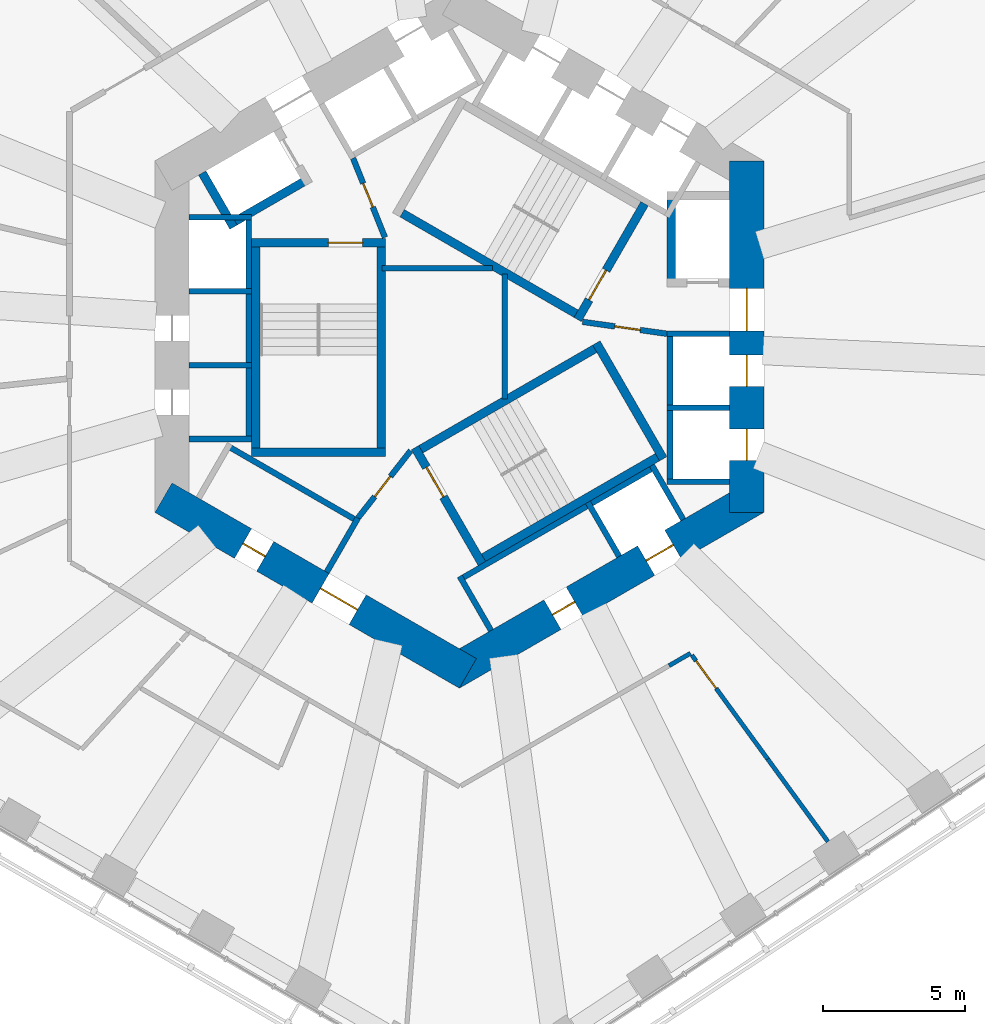
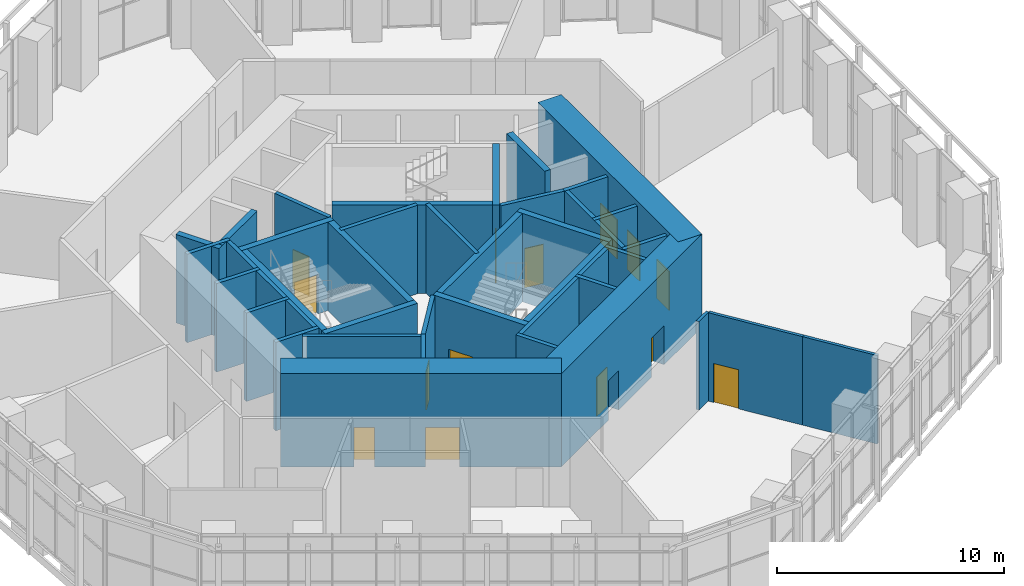
# One storey, part 14 of 19: 39 walls, 14 doors, 14 openings.
"""IFC4 building model written with IfcOpenShell, lengths in metres."""

from ifc_helpers import new_model, si_unit, direction, frame, frame_2d, origin, place, context, subcontext, project, spatial, rectangle, extrude, material, layer, layer_set, type_object, element, fill, save


model = new_model("IFC4")

# Units and contexts
model_context = context("Model", 3, precision=1e-05, world=origin(), true_north=direction((0.0, 1.0)))
body_context = subcontext(model_context, "Body", "Model", "MODEL_VIEW")
ifc_project = project(units=[si_unit("LENGTHUNIT", "METRE"), si_unit("AREAUNIT", "SQUARE_METRE"), si_unit("VOLUMEUNIT", "CUBIC_METRE"), si_unit("PLANEANGLEUNIT", "RADIAN"), si_unit("MASSUNIT", "GRAM", prefix="KILO")], contexts=[model_context])

# Site, building, storey
site_placement = place(None, origin())
site = spatial("IfcSite", under=ifc_project, at=site_placement, CompositionType="ELEMENT")
building_placement = place(site_placement, origin())
building = spatial("IfcBuilding", under=site, at=building_placement, Name="Vanh Sen Convention Tower", CompositionType="ELEMENT")
storey_placement = place(building_placement, frame((0.0, 0.0, 39.0)))
storey = spatial("IfcBuildingStorey", under=building, at=storey_placement, Name="L06", CompositionType="ELEMENT", Elevation=39.0)

# Wall, openings, doors
ifc_material_1 = material(Name="Concrete C80/95", Category="concrete")
ifc_layer_1 = layer(ifc_material_1, 1.199951171875)
ifc_layer_set_1 = layer_set([ifc_layer_1], Name="Concrete C80/95")
wall_type_1 = type_object("IfcWallType", Name="Core outer wall 1200 C80/95", PredefinedType="SHEAR", material=ifc_layer_set_1)
wall_1_placement = place(storey_placement, frame((10.10009765625, -6.177490234375, 0.0), z_axis=(0.0, 0.0, 1.0), x_axis=(0.0, 1.0, 0.0)))
wall_1 = element("IfcWall", 1, at=wall_1_placement, inside=storey, type_object=wall_type_1, Name="Core wall face E L06", PredefinedType="SHEAR", context=body_context, shape_type="SweptSolid", body=[
    extrude(rectangle(XDim=12.35498046875, YDim=1.199951171875, at=frame_2d((6.177490234375, 0.0))), origin(), (0.0, 0.0, 1.0), 5.0),
])
opening_1_placement = place(wall_1_placement, frame((6.377685546875, 0.0, 0.0)))
opening_1 = element("IfcOpeningElement", 2, at=opening_1_placement, cuts=wall_1, Name="Opening D06001", PredefinedType="OPENING", context=body_context, shape_type="SweptSolid", body=[
    extrude(rectangle(XDim=1.5, YDim=2.10009765625, at=frame_2d((0.75, 1.050048828125))), frame((0.0, 0.60986328125, 0.0), z_axis=(0.0, -1.0, 0.0), x_axis=(1.0, 0.0, 0.0)), (0.0, 0.0, 1.0), 1.219970703125),
])
opening_2_placement = place(wall_1_placement, frame((1.82763671875, 0.0, 0.0)))
opening_2 = element("IfcOpeningElement", 3, at=opening_2_placement, cuts=wall_1, Name="Opening LD-LR1", PredefinedType="OPENING", context=body_context, shape_type="SweptSolid", body=[
    extrude(rectangle(XDim=1.10009765625, YDim=2.10009765625, at=frame_2d((0.550048828125, 1.050048828125))), frame((0.0, 0.60986328125, 0.0), z_axis=(0.0, -1.0, 0.0), x_axis=(1.0, 0.0, 0.0)), (0.0, 0.0, 1.0), 1.219970703125),
])
opening_3_placement = place(wall_1_placement, frame((4.427490234375, 0.0, 0.0)))
opening_3 = element("IfcOpeningElement", 4, at=opening_3_placement, cuts=wall_1, Name="Opening LD-LR2", PredefinedType="OPENING", context=body_context, shape_type="SweptSolid", body=[
    extrude(rectangle(XDim=1.10009765625, YDim=2.10009765625, at=frame_2d((0.550048828125, 1.050048828125))), frame((0.0, 0.60986328125, 0.0), z_axis=(0.0, -1.0, 0.0), x_axis=(1.0, 0.0, 0.0)), (0.0, 0.0, 1.0), 1.219970703125),
])
ifc_material_2 = material(Name="Stainless steel", Category="steel")
door_type_1 = type_object("IfcDoorType", Name="Lift landing door 1100", OperationType="DOUBLE_DOOR_SLIDING", PredefinedType="DOOR", material=ifc_material_2)
door_1_placement = place(opening_2_placement, origin())
door_1 = element("IfcDoor", 5, at=door_1_placement, inside=storey, type_object=door_type_1, Name="Lift LR1 landing door LD-LR1", OperationType="DOUBLE_DOOR_SLIDING", OverallHeight=2.10009765625, OverallWidth=1.10009765625, PredefinedType="DOOR", context=body_context, shape_type="SweptSolid", body=[
    extrude(rectangle(XDim=1.10009765625, YDim=2.10009765625, at=frame_2d((0.550048828125, 1.050048828125))), frame((0.0, 0.02490234375, 0.0), z_axis=(0.0, -1.0, 0.0), x_axis=(1.0, 0.0, 0.0)), (0.0, 0.0, 1.0), 0.050048828125),
])
fill(opening_2, door_1)
door_2_placement = place(opening_3_placement, origin())
door_2 = element("IfcDoor", 6, at=door_2_placement, inside=storey, type_object=door_type_1, Name="Lift LR2 landing door LD-LR2", OperationType="DOUBLE_DOOR_SLIDING", OverallHeight=2.10009765625, OverallWidth=1.10009765625, PredefinedType="DOOR", context=body_context, shape_type="SweptSolid", body=[
    extrude(rectangle(XDim=1.10009765625, YDim=2.10009765625, at=frame_2d((0.550048828125, 1.050048828125))), frame((0.0, 0.02490234375, 0.0), z_axis=(0.0, -1.0, 0.0), x_axis=(1.0, 0.0, 0.0)), (0.0, 0.0, 1.0), 0.050048828125),
])
fill(opening_3, door_2)
ifc_material_3 = material(Name="Steel S355", Category="steel")
door_type_2 = type_object("IfcDoorType", Name="Stair lobby door 1500", OperationType="DOUBLE_DOOR_SINGLE_SWING", PredefinedType="DOOR", material=ifc_material_3)
door_3_placement = place(opening_1_placement, origin())
door_3 = element("IfcDoor", 7, at=door_3_placement, inside=storey, type_object=door_type_2, Name="Stair lobby door D06001", OperationType="DOUBLE_DOOR_SINGLE_SWING", OverallHeight=2.10009765625, OverallWidth=1.5, PredefinedType="DOOR", context=body_context, shape_type="SweptSolid", body=[
    extrude(rectangle(XDim=1.5, YDim=2.10009765625, at=frame_2d((0.75, 1.050048828125))), frame((0.0, 0.02490234375, 0.0), z_axis=(0.0, -1.0, 0.0), x_axis=(1.0, 0.0, 0.0)), (0.0, 0.0, 1.0), 0.050048828125),
])
fill(opening_1, door_3)

wall_2_placement = place(storey_placement, frame((-10.39990234375, -5.657958984375, 0.0), z_axis=(0.0, 0.0, 1.0), x_axis=(0.866021384402, -0.500006961711, 0.0)))
wall_2 = element("IfcWall", 8, at=wall_2_placement, inside=storey, type_object=wall_type_1, Name="Core wall face SW L06", PredefinedType="SHEAR", context=body_context, shape_type="SweptSolid", body=[
    extrude(rectangle(XDim=12.355224609375, YDim=1.199951171875, at=frame_2d((6.177734375, 0.0))), origin(), (0.0, 0.0, 1.0), 5.0),
])
opening_4_placement = place(wall_2_placement, frame((6.377685546875, 0.0, 0.0)))
opening_4 = element("IfcOpeningElement", 9, at=opening_4_placement, cuts=wall_2, Name="Opening D06003", PredefinedType="OPENING", context=body_context, shape_type="SweptSolid", body=[
    extrude(rectangle(XDim=1.5, YDim=2.10009765625, at=frame_2d((0.75, 1.050048828125))), frame((0.0, 0.60986328125, 0.0), z_axis=(0.0, -1.0, 0.0), x_axis=(1.0, 0.0, 0.0)), (0.0, 0.0, 1.0), 1.219970703125),
])
opening_5_placement = place(wall_2_placement, frame((3.227783203125, 0.0, 0.0)))
opening_5 = element("IfcOpeningElement", 10, at=opening_5_placement, cuts=wall_2, Name="Opening D06012", PredefinedType="OPENING", context=body_context, shape_type="SweptSolid", body=[
    extrude(rectangle(XDim=0.89990234375, YDim=2.10009765625, at=frame_2d((0.449951171875, 1.050048828125))), frame((0.0, 0.60986328125, 0.0), z_axis=(0.0, -1.0, 0.0), x_axis=(1.0, 0.0, 0.0)), (0.0, 0.0, 1.0), 1.219970703125),
])
door_type_3 = type_object("IfcDoorType", Name="Plant door 900", OperationType="SINGLE_SWING_LEFT", PredefinedType="DOOR", material=ifc_material_3)
door_4_placement = place(opening_5_placement, origin())
door_4 = element("IfcDoor", 11, at=door_4_placement, inside=storey, type_object=door_type_3, Name="Plant door D06012", OperationType="SINGLE_SWING_LEFT", OverallHeight=2.10009765625, OverallWidth=0.89990234375, PredefinedType="DOOR", context=body_context, shape_type="SweptSolid", body=[
    extrude(rectangle(XDim=0.89990234375, YDim=2.10009765625, at=frame_2d((0.449951171875, 1.050048828125))), frame((0.0, 0.02490234375, 0.0), z_axis=(0.0, -1.0, 0.0), x_axis=(1.0, 0.0, 0.0)), (0.0, 0.0, 1.0), 0.050048828125),
])
fill(opening_5, door_4)
door_5_placement = place(opening_4_placement, origin())
door_5 = element("IfcDoor", 12, at=door_5_placement, inside=storey, type_object=door_type_2, Name="Stair lobby door D06003", OperationType="DOUBLE_DOOR_SINGLE_SWING", OverallHeight=2.10009765625, OverallWidth=1.5, PredefinedType="DOOR", context=body_context, shape_type="SweptSolid", body=[
    extrude(rectangle(XDim=1.5, YDim=2.10009765625, at=frame_2d((0.75, 1.050048828125))), frame((0.0, 0.02490234375, 0.0), z_axis=(0.0, -1.0, 0.0), x_axis=(1.0, 0.0, 0.0)), (0.0, 0.0, 1.0), 0.050048828125),
])
fill(opening_4, door_5)

wall_3_placement = place(storey_placement, frame((-0.300048828125, -11.835693359375, 0.0), z_axis=(0.0, 0.0, 1.0), x_axis=(0.866021384402, 0.500006961711, 0.0)))
wall_3 = element("IfcWall", 13, at=wall_3_placement, inside=storey, type_object=wall_type_1, Name="Core wall face SE L06", PredefinedType="SHEAR", context=body_context, shape_type="SweptSolid", body=[
    extrude(rectangle(XDim=12.355224609375, YDim=1.199951171875, at=frame_2d((6.177734375, 0.0))), origin(), (0.0, 0.0, 1.0), 5.0),
])
opening_6_placement = place(wall_3_placement, frame((4.127685546875, 0.0, 0.0)))
opening_6 = element("IfcOpeningElement", 14, at=opening_6_placement, cuts=wall_3, Name="Opening D06013", PredefinedType="OPENING", context=body_context, shape_type="SweptSolid", body=[
    extrude(rectangle(XDim=0.89990234375, YDim=2.10009765625, at=frame_2d((0.449951171875, 1.050048828125))), frame((0.0, 0.60986328125, 0.0), z_axis=(0.0, -1.0, 0.0), x_axis=(1.0, 0.0, 0.0)), (0.0, 0.0, 1.0), 1.219970703125),
])
opening_7_placement = place(wall_3_placement, frame((7.927734375, 0.0, 0.0)))
opening_7 = element("IfcOpeningElement", 15, at=opening_7_placement, cuts=wall_3, Name="Opening LD-SV1", PredefinedType="OPENING", context=body_context, shape_type="SweptSolid", body=[
    extrude(rectangle(XDim=1.10009765625, YDim=2.10009765625, at=frame_2d((0.550048828125, 1.050048828125))), frame((0.0, 0.60986328125, 0.0), z_axis=(0.0, -1.0, 0.0), x_axis=(1.0, 0.0, 0.0)), (0.0, 0.0, 1.0), 1.219970703125),
])
door_6_placement = place(opening_7_placement, origin())
door_6 = element("IfcDoor", 16, at=door_6_placement, inside=storey, type_object=door_type_1, Name="Lift SV1 landing door LD-SV1", OperationType="DOUBLE_DOOR_SLIDING", OverallHeight=2.10009765625, OverallWidth=1.10009765625, PredefinedType="DOOR", context=body_context, shape_type="SweptSolid", body=[
    extrude(rectangle(XDim=1.10009765625, YDim=2.10009765625, at=frame_2d((0.550048828125, 1.050048828125))), frame((0.0, 0.02490234375, 0.0), z_axis=(0.0, -1.0, 0.0), x_axis=(1.0, 0.0, 0.0)), (0.0, 0.0, 1.0), 0.050048828125),
])
fill(opening_7, door_6)
door_7_placement = place(opening_6_placement, origin())
door_7 = element("IfcDoor", 17, at=door_7_placement, inside=storey, type_object=door_type_3, Name="Plant door D06013", OperationType="SINGLE_SWING_LEFT", OverallHeight=2.10009765625, OverallWidth=0.89990234375, PredefinedType="DOOR", context=body_context, shape_type="SweptSolid", body=[
    extrude(rectangle(XDim=0.89990234375, YDim=2.10009765625, at=frame_2d((0.449951171875, 1.050048828125))), frame((0.0, 0.02490234375, 0.0), z_axis=(0.0, -1.0, 0.0), x_axis=(1.0, 0.0, 0.0)), (0.0, 0.0, 1.0), 0.050048828125),
])
fill(opening_6, door_7)

# Walls
ifc_material_4 = material(Name="Masonry blockwork", Category="masonry")
ifc_layer_2 = layer(ifc_material_4, 0.199951171875)
ifc_layer_set_2 = layer_set([ifc_layer_2], Name="Masonry blockwork")
wall_type_2 = type_object("IfcWallType", Name="Core partition 200", PredefinedType="PARTITIONING", material=ifc_layer_set_2)
wall_4_placement = place(storey_placement, frame((-2.719970703125, 2.39990234375, 0.0), z_axis=(0.0, 0.0, 1.0), x_axis=(1.0, 0.0, 0.0)))
element("IfcWall", 18, at=wall_4_placement, inside=storey, type_object=wall_type_2, Name="Core partition L06", PredefinedType="PARTITIONING", context=body_context, shape_type="SweptSolid", body=[
    extrude(rectangle(XDim=3.883056640625, YDim=0.199951171875, at=frame_2d((1.94140625, 0.0))), origin(), (0.0, 0.0, 1.0), 4.75),
])
wall_5_placement = place(storey_placement, frame((1.60009765625, -2.198486328125, 0.0), z_axis=(0.0, 0.0, 1.0), x_axis=(0.0, 1.0, 0.0)))
element("IfcWall", 19, at=wall_5_placement, inside=storey, type_object=wall_type_2, Name="Core partition L06", PredefinedType="PARTITIONING", context=body_context, shape_type="SweptSolid", body=[
    extrude(rectangle(XDim=4.39697265625, YDim=0.199951171875, at=frame_2d((2.198486328125, 0.0))), origin(), (0.0, 0.0, 1.0), 4.75),
])
ifc_material_5 = material(Name="Concrete C60/75", Category="concrete")
ifc_layer_3 = layer(ifc_material_5, 0.300048828125)
ifc_layer_set_3 = layer_set([ifc_layer_3], Name="Concrete C60/75")
wall_type_3 = type_object("IfcWallType", Name="Fire-fighting lift shaft wall 300", PredefinedType="SHEAR", material=ifc_layer_set_3)
wall_6_placement = place(storey_placement, frame((7.449951171875, 1.75, 0.0), z_axis=(0.0, 0.0, 1.0), x_axis=(0.0, 1.0, 0.0)))
element("IfcWall", 20, at=wall_6_placement, inside=storey, type_object=wall_type_3, Name="Fire-fighting lift shaft wall L06", PredefinedType="SHEAR", context=body_context, shape_type="SweptSolid", body=[
    extrude(rectangle(XDim=3.35009765625, YDim=0.300048828125, at=frame_2d((1.675048828125, 0.0))), origin(), (0.0, 0.0, 1.0), 4.75),
])
wall_7_placement = place(storey_placement, frame((-5.240478515625, 5.576904296875, 0.0), z_axis=(0.0, 0.0, 1.0), x_axis=(-0.866014461049, -0.500018952895, 0.0)))
element("IfcWall", 21, at=wall_7_placement, inside=storey, type_object=wall_type_3, Name="Fire-fighting lift shaft wall L06", PredefinedType="SHEAR", context=body_context, shape_type="SweptSolid", body=[
    extrude(rectangle(XDim=3.349853515625, YDim=0.300048828125, at=frame_2d((1.6748046875, 0.0))), origin(), (0.0, 0.0, 1.0), 4.75),
])
wall_8_placement = place(storey_placement, frame((-7.936767578125, 3.846923828125, 0.0), z_axis=(0.0, 0.0, 1.0), x_axis=(-0.50002983664, 0.866008176907, 0.0)))
element("IfcWall", 22, at=wall_8_placement, inside=storey, type_object=wall_type_3, Name="Fire-fighting lift shaft wall L06", PredefinedType="SHEAR", context=body_context, shape_type="SweptSolid", body=[
    extrude(rectangle(XDim=2.199951171875, YDim=0.300048828125, at=frame_2d((1.10009765625, 0.0))), origin(), (0.0, 0.0, 1.0), 4.75),
])
ifc_material_6 = material(Name="Concrete C40/50", Category="concrete")
ifc_layer_4 = layer(ifc_material_6, 0.199951171875)
ifc_layer_set_4 = layer_set([ifc_layer_4], Name="Concrete C40/50")
wall_type_4 = type_object("IfcWallType", Name="Lift shaft wall 200", PredefinedType="PARTITIONING", material=ifc_layer_set_4)
wall_9_placement = place(storey_placement, frame((7.39990234375, -5.199951171875, 0.0), z_axis=(0.0, 0.0, 1.0), x_axis=(0.0, 1.0, 0.0)))
element("IfcWall", 23, at=wall_9_placement, inside=storey, type_object=wall_type_4, Name="Lift shaft wall L06", PredefinedType="PARTITIONING", context=body_context, shape_type="SweptSolid", body=[
    extrude(rectangle(XDim=5.39990234375, YDim=0.199951171875, at=frame_2d((2.699951171875, 0.0))), origin(), (0.0, 0.0, 1.0), 4.75),
])
for number, where, z_axis, x_axis, name in (
    (24, (7.300048828125, -5.10009765625, 0.0), (0.0, 0.0, 1.0), (1.0, 0.0, 0.0), "Lift shaft wall L06"),
    (25, (7.300048828125, -2.5, 0.0), (0.0, 0.0, 1.0), (1.0, 0.0, 0.0), "Lift shaft wall L06"),
    (26, (7.300048828125, 0.10009765625, 0.0), (0.0, 0.0, 1.0), (1.0, 0.0, 0.0), "Lift shaft wall L06"),
):
    element("IfcWall", number, at=place(storey_placement, frame(where, z_axis=z_axis, x_axis=x_axis)), inside=storey, type_object=wall_type_4, Name=name, PredefinedType="PARTITIONING", context=body_context, shape_type="SweptSolid", body=[
        extrude(rectangle(XDim=2.199951171875, YDim=0.199951171875, at=frame_2d((1.10009765625, 0.0))), origin(), (0.0, 0.0, 1.0), 4.75),
    ])
wall_10_placement = place(storey_placement, frame((-7.39990234375, 4.300048828125, 0.0), z_axis=(0.0, 0.0, 1.0), x_axis=(0.0, -1.0, 0.0)))
element("IfcWall", 27, at=wall_10_placement, inside=storey, type_object=wall_type_4, Name="Lift shaft wall L06", PredefinedType="PARTITIONING", context=body_context, shape_type="SweptSolid", body=[
    extrude(rectangle(XDim=8.0, YDim=0.199951171875, at=frame_2d((4.0, 0.0))), origin(), (0.0, 0.0, 1.0), 4.75),
])
for number, where, z_axis, x_axis, name in (
    (28, (-7.300048828125, 4.199951171875, 0.0), (0.0, 0.0, 1.0), (-1.0, 0.0, 0.0), "Lift shaft wall L06"),
    (29, (-7.300048828125, 1.60009765625, 0.0), (0.0, 0.0, 1.0), (-1.0, 0.0, 0.0), "Lift shaft wall L06"),
    (30, (-7.300048828125, -1.0, 0.0), (0.0, 0.0, 1.0), (-1.0, 0.0, 0.0), "Lift shaft wall L06"),
    (31, (-7.300048828125, -3.60009765625, 0.0), (0.0, 0.0, 1.0), (-1.0, 0.0, 0.0), "Lift shaft wall L06"),
):
    element("IfcWall", number, at=place(storey_placement, frame(where, z_axis=z_axis, x_axis=x_axis)), inside=storey, type_object=wall_type_4, Name=name, PredefinedType="PARTITIONING", context=body_context, shape_type="SweptSolid", body=[
        extrude(rectangle(XDim=2.199951171875, YDim=0.199951171875, at=frame_2d((1.10009765625, 0.0))), origin(), (0.0, 0.0, 1.0), 4.75),
    ])
wall_11_placement = place(storey_placement, frame((-8.203369140625, -3.80859375, 0.0), z_axis=(0.0, 0.0, 1.0), x_axis=(0.866028230842, -0.499995103361, 0.0)))
element("IfcWall", 32, at=wall_11_placement, inside=storey, type_object=wall_type_4, Name="Lift shaft wall L06", PredefinedType="PARTITIONING", context=body_context, shape_type="SweptSolid", body=[
    extrude(rectangle(XDim=5.39990234375, YDim=0.199951171875, at=frame_2d((2.699951171875, 0.0))), origin(), (0.0, 0.0, 1.0), 4.75),
])
wall_12_placement = place(storey_placement, frame((-3.5634765625, -6.3720703125, 0.0), z_axis=(0.0, 0.0, 1.0), x_axis=(-0.499994660107, -0.866028486751, 0.0)))
element("IfcWall", 33, at=wall_12_placement, inside=storey, type_object=wall_type_4, Name="Lift shaft wall L06", PredefinedType="PARTITIONING", context=body_context, shape_type="SweptSolid", body=[
    extrude(rectangle(XDim=2.19970703125, YDim=0.199951171875, at=frame_2d((1.099853515625, 0.0))), origin(), (0.0, 0.0, 1.0), 4.75),
])
wall_13_placement = place(storey_placement, frame((-0.02392578125, -8.55859375, 0.0), z_axis=(0.0, 0.0, 1.0), x_axis=(0.866026010844, 0.49999894854, 0.0)))
element("IfcWall", 34, at=wall_13_placement, inside=storey, type_object=wall_type_4, Name="Lift shaft wall L06", PredefinedType="PARTITIONING", context=body_context, shape_type="SweptSolid", body=[
    extrude(rectangle(XDim=8.0, YDim=0.199951171875, at=frame_2d((4.0, 0.0))), origin(), (0.0, 0.0, 1.0), 4.75),
])
for number, where, z_axis, x_axis, name in (
    (35, (0.0126953125, -8.422119140625, 0.0), (0.0, 0.0, 1.0), (0.500077893725, -0.86598042715, 0.0), "Lift shaft wall L06"),
    (36, (4.51611328125, -5.822021484375, 0.0), (0.0, 0.0, 1.0), (0.499946605688, -0.86605622881, 0.0), "Lift shaft wall L06"),
    (37, (6.767578125, -4.52197265625, 0.0), (0.0, 0.0, 1.0), (0.50002983664, -0.866008176907, 0.0), "Lift shaft wall L06"),
):
    element("IfcWall", number, at=place(storey_placement, frame(where, z_axis=z_axis, x_axis=x_axis)), inside=storey, type_object=wall_type_4, Name=name, PredefinedType="PARTITIONING", context=body_context, shape_type="SweptSolid", body=[
        extrude(rectangle(XDim=2.199951171875, YDim=0.199951171875, at=frame_2d((1.10009765625, 0.0))), origin(), (0.0, 0.0, 1.0), 4.75),
    ])
ifc_material_7 = material(Name="Gypsum board on steel studs", Category="steel")
ifc_layer_5 = layer(ifc_material_7, 0.14990234375)
ifc_layer_set_5 = layer_set([ifc_layer_5], Name="Gypsum board on steel studs")
wall_type_5 = type_object("IfcWallType", Name="Partition 150 EI 60", PredefinedType="PARTITIONING", material=ifc_layer_set_5)
wall_14_placement = place(storey_placement, frame((10.83544921875, -14.844482421875, 0.0), z_axis=(0.0, 0.0, 1.0), x_axis=(0.589604414089, -0.807692165919, 0.0)))
element("IfcWall", 38, at=wall_14_placement, inside=storey, type_object=wall_type_5, Name="Partition L06-007", PredefinedType="PARTITIONING", context=body_context, shape_type="SweptSolid", body=[
    extrude(rectangle(XDim=3.594482421875, YDim=0.14990234375, at=frame_2d((1.79736328125, 0.0))), origin(), (0.0, 0.0, 1.0), 4.75),
])
wall_15_placement = place(storey_placement, frame((7.369384765625, -11.564453125, 0.0), z_axis=(0.0, 0.0, 1.0), x_axis=(0.865956808668, 0.50011879141, 0.0)))
element("IfcWall", 39, at=wall_15_placement, inside=storey, type_object=wall_type_5, Name="Partition L06-014", PredefinedType="PARTITIONING", context=body_context, shape_type="SweptSolid", body=[
    extrude(rectangle(XDim=0.870849609375, YDim=0.14990234375, at=frame_2d((0.435546875, 0.0))), origin(), (0.0, 0.0, 1.0), 4.75),
])

# Wall, opening, door
wall_16_placement = place(storey_placement, frame((8.170654296875, -11.193603515625, 0.0), z_axis=(0.0, 0.0, 1.0), x_axis=(0.589561466491, -0.807723515337, 0.0)))
wall_16 = element("IfcWall", 40, at=wall_16_placement, inside=storey, type_object=wall_type_5, Name="Partition L06-015", PredefinedType="PARTITIONING", context=body_context, shape_type="SweptSolid", body=[
    extrude(rectangle(XDim=4.52001953125, YDim=0.14990234375, at=frame_2d((2.260009765625, 0.0))), origin(), (0.0, 0.0, 1.0), 4.75),
])
opening_8_placement = place(wall_16_placement, frame((0.25, 0.0, 0.0)))
opening_8 = element("IfcOpeningElement", 41, at=opening_8_placement, cuts=wall_16, Name="Opening D06103", PredefinedType="OPENING", context=body_context, shape_type="SweptSolid", body=[
    extrude(rectangle(XDim=1.199951171875, YDim=2.10009765625, at=frame_2d((0.60009765625, 1.050048828125))), frame((0.0, 0.0849609375, 0.0), z_axis=(0.0, -1.0, 0.0), x_axis=(1.0, 0.0, 0.0)), (0.0, 0.0, 1.0), 0.169921875),
])
ifc_material_8 = material(Name="Timber door in steel frame", Category="steel")
door_type_4 = type_object("IfcDoorType", Name="Room door 1200 EI 30", OperationType="SINGLE_SWING_LEFT", PredefinedType="DOOR", material=ifc_material_8)
door_8_placement = place(opening_8_placement, origin())
door_8 = element("IfcDoor", 42, at=door_8_placement, inside=storey, type_object=door_type_4, Name="Room door D06103", OperationType="SINGLE_SWING_LEFT", OverallHeight=2.10009765625, OverallWidth=1.199951171875, PredefinedType="DOOR", context=body_context, shape_type="SweptSolid", body=[
    extrude(rectangle(XDim=1.199951171875, YDim=2.10009765625, at=frame_2d((0.60009765625, 1.050048828125))), frame((0.0, 0.02490234375, 0.0), z_axis=(0.0, -1.0, 0.0), x_axis=(1.0, 0.0, 0.0)), (0.0, 0.0, 1.0), 0.050048828125),
])
fill(opening_8, door_8)

ifc_layer_6 = layer(ifc_material_6, 0.199951171875)
ifc_layer_set_6 = layer_set([ifc_layer_6], Name="Concrete C40/50")
wall_type_6 = type_object("IfcWallType", Name="Stair lobby wall 200", PredefinedType="PARTITIONING", material=ifc_layer_set_6)
wall_17_placement = place(storey_placement, frame((4.327392578125, 0.52099609375, 0.0), z_axis=(0.0, 0.0, 1.0), x_axis=(0.990124376366, -0.14019172346, 0.0)))
wall_17 = element("IfcWall", 43, at=wall_17_placement, inside=storey, type_object=wall_type_6, Name="Stair lobby wall L06", PredefinedType="PARTITIONING", context=body_context, shape_type="SweptSolid", body=[
    extrude(rectangle(XDim=3.002197265625, YDim=0.199951171875, at=frame_2d((1.5009765625, 0.0))), origin(), (0.0, 0.0, 1.0), 4.75),
])
opening_9_placement = place(wall_17_placement, frame((1.14990234375, 0.0, 0.0)))
opening_9 = element("IfcOpeningElement", 44, at=opening_9_placement, cuts=wall_17, Name="Opening D06007", PredefinedType="OPENING", context=body_context, shape_type="SweptSolid", body=[
    extrude(rectangle(XDim=0.89990234375, YDim=2.10009765625, at=frame_2d((0.449951171875, 1.050048828125))), frame((0.0, 0.10986328125, 0.0), z_axis=(0.0, -1.0, 0.0), x_axis=(1.0, 0.0, 0.0)), (0.0, 0.0, 1.0), 0.219970703125),
])
door_9_placement = place(opening_9_placement, origin())
door_9 = element("IfcDoor", 45, at=door_9_placement, inside=storey, type_object=door_type_3, Name="Plant door D06007", OperationType="SINGLE_SWING_LEFT", OverallHeight=2.10009765625, OverallWidth=0.89990234375, PredefinedType="DOOR", context=body_context, shape_type="SweptSolid", body=[
    extrude(rectangle(XDim=0.89990234375, YDim=2.10009765625, at=frame_2d((0.449951171875, 1.050048828125))), frame((0.0, 0.02490234375, 0.0), z_axis=(0.0, -1.0, 0.0), x_axis=(1.0, 0.0, 0.0)), (0.0, 0.0, 1.0), 0.050048828125),
])
fill(opening_9, door_9)

wall_18_placement = place(storey_placement, frame((-2.614990234375, 3.487060546875, 0.0), z_axis=(0.0, 0.0, 1.0), x_axis=(-0.373576831041, 0.92759924068, 0.0)))
wall_18 = element("IfcWall", 46, at=wall_18_placement, inside=storey, type_object=wall_type_6, Name="Stair lobby wall L06", PredefinedType="PARTITIONING", context=body_context, shape_type="SweptSolid", body=[
    extrude(rectangle(XDim=3.002197265625, YDim=0.199951171875, at=frame_2d((1.5009765625, 0.0))), origin(), (0.0, 0.0, 1.0), 4.75),
])
opening_10_placement = place(wall_18_placement, frame((1.14990234375, 0.0, 0.0)))
opening_10 = element("IfcOpeningElement", 47, at=opening_10_placement, cuts=wall_18, Name="Opening D06008", PredefinedType="OPENING", context=body_context, shape_type="SweptSolid", body=[
    extrude(rectangle(XDim=0.89990234375, YDim=2.10009765625, at=frame_2d((0.449951171875, 1.050048828125))), frame((0.0, 0.10986328125, 0.0), z_axis=(0.0, -1.0, 0.0), x_axis=(1.0, 0.0, 0.0)), (0.0, 0.0, 1.0), 0.219970703125),
])
door_10_placement = place(opening_10_placement, origin())
door_10 = element("IfcDoor", 48, at=door_10_placement, inside=storey, type_object=door_type_3, Name="Plant door D06008", OperationType="SINGLE_SWING_LEFT", OverallHeight=2.10009765625, OverallWidth=0.89990234375, PredefinedType="DOOR", context=body_context, shape_type="SweptSolid", body=[
    extrude(rectangle(XDim=0.89990234375, YDim=2.10009765625, at=frame_2d((0.449951171875, 1.050048828125))), frame((0.0, 0.02490234375, 0.0), z_axis=(0.0, -1.0, 0.0), x_axis=(1.0, 0.0, 0.0)), (0.0, 0.0, 1.0), 0.050048828125),
])
fill(opening_10, door_10)

wall_19_placement = place(storey_placement, frame((-1.71240234375, -4.00830078125, 0.0), z_axis=(0.0, 0.0, 1.0), x_axis=(-0.616549420702, -0.787316208287, 0.0)))
wall_19 = element("IfcWall", 49, at=wall_19_placement, inside=storey, type_object=wall_type_6, Name="Stair lobby wall L06", PredefinedType="PARTITIONING", context=body_context, shape_type="SweptSolid", body=[
    extrude(rectangle(XDim=3.002197265625, YDim=0.199951171875, at=frame_2d((1.5009765625, 0.0))), origin(), (0.0, 0.0, 1.0), 4.75),
])
opening_11_placement = place(wall_19_placement, frame((1.14990234375, 0.0, 0.0)))
opening_11 = element("IfcOpeningElement", 50, at=opening_11_placement, cuts=wall_19, Name="Opening D06009", PredefinedType="OPENING", context=body_context, shape_type="SweptSolid", body=[
    extrude(rectangle(XDim=0.89990234375, YDim=2.10009765625, at=frame_2d((0.449951171875, 1.050048828125))), frame((0.0, 0.10986328125, 0.0), z_axis=(0.0, -1.0, 0.0), x_axis=(1.0, 0.0, 0.0)), (0.0, 0.0, 1.0), 0.219970703125),
])
door_11_placement = place(opening_11_placement, origin())
door_11 = element("IfcDoor", 51, at=door_11_placement, inside=storey, type_object=door_type_3, Name="Plant door D06009", OperationType="SINGLE_SWING_LEFT", OverallHeight=2.10009765625, OverallWidth=0.89990234375, PredefinedType="DOOR", context=body_context, shape_type="SweptSolid", body=[
    extrude(rectangle(XDim=0.89990234375, YDim=2.10009765625, at=frame_2d((0.449951171875, 1.050048828125))), frame((0.0, 0.02490234375, 0.0), z_axis=(0.0, -1.0, 0.0), x_axis=(1.0, 0.0, 0.0)), (0.0, 0.0, 1.0), 0.050048828125),
])
fill(opening_11, door_11)

ifc_layer_7 = layer(ifc_material_5, 0.300048828125)
ifc_layer_set_7 = layer_set([ifc_layer_7], Name="Concrete C60/75")
wall_type_7 = type_object("IfcWallType", Name="Stair wall 300", PredefinedType="SHEAR", material=ifc_layer_set_7)
wall_20_placement = place(storey_placement, frame((4.157958984375, 0.601806640625, 0.0), z_axis=(0.0, 0.0, 1.0), x_axis=(0.499977259774, 0.866038532462, 0.0)))
wall_20 = element("IfcWall", 52, at=wall_20_placement, inside=storey, type_object=wall_type_7, Name="Stair wall L06", PredefinedType="SHEAR", context=body_context, shape_type="SweptSolid", body=[
    extrude(rectangle(XDim=4.699951171875, YDim=0.300048828125, at=frame_2d((2.35009765625, 0.0))), origin(), (0.0, 0.0, 1.0), 4.75),
])
opening_12_placement = place(wall_20_placement, frame((0.800048828125, 0.0, 0.0)))
opening_12 = element("IfcOpeningElement", 53, at=opening_12_placement, cuts=wall_20, Name="Opening D06004", PredefinedType="OPENING", context=body_context, shape_type="SweptSolid", body=[
    extrude(rectangle(XDim=1.199951171875, YDim=2.10009765625, at=frame_2d((0.60009765625, 1.050048828125))), frame((0.0, 0.159912109375, 0.0), z_axis=(0.0, -1.0, 0.0), x_axis=(1.0, 0.0, 0.0)), (0.0, 0.0, 1.0), 0.320068359375),
])
door_type_5 = type_object("IfcDoorType", Name="Stair door 1200", OperationType="SINGLE_SWING_RIGHT", PredefinedType="DOOR", material=ifc_material_3)
door_12_placement = place(opening_12_placement, origin())
door_12 = element("IfcDoor", 54, at=door_12_placement, inside=storey, type_object=door_type_5, Name="Stair ST1 door D06004", OperationType="SINGLE_SWING_RIGHT", OverallHeight=2.10009765625, OverallWidth=1.199951171875, PredefinedType="DOOR", context=body_context, shape_type="SweptSolid", body=[
    extrude(rectangle(XDim=1.199951171875, YDim=2.10009765625, at=frame_2d((0.60009765625, 1.050048828125))), frame((0.0, 0.02490234375, 0.0), z_axis=(0.0, -1.0, 0.0), x_axis=(1.0, 0.0, 0.0)), (0.0, 0.0, 1.0), 0.050048828125),
])
fill(opening_12, door_12)

# Wall
wall_21_placement = place(storey_placement, frame((4.10302734375, 0.806640625, 0.0), z_axis=(0.0, 0.0, 1.0), x_axis=(-0.866027801685, 0.499995846692, 0.0)))
element("IfcWall", 55, at=wall_21_placement, inside=storey, type_object=wall_type_7, Name="Stair wall L06", PredefinedType="SHEAR", context=body_context, shape_type="SweptSolid", body=[
    extrude(rectangle(XDim=7.06005859375, YDim=0.300048828125, at=frame_2d((3.530029296875, 0.0))), origin(), (0.0, 0.0, 1.0), 4.75),
])

# Wall, opening, door
wall_22_placement = place(storey_placement, frame((-2.60009765625, 3.300048828125, 0.0), z_axis=(0.0, 0.0, 1.0), x_axis=(-1.0, 0.0, 0.0)))
wall_22 = element("IfcWall", 56, at=wall_22_placement, inside=storey, type_object=wall_type_7, Name="Stair wall L06", PredefinedType="SHEAR", context=body_context, shape_type="SweptSolid", body=[
    extrude(rectangle(XDim=4.699951171875, YDim=0.300048828125, at=frame_2d((2.35009765625, 0.0))), origin(), (0.0, 0.0, 1.0), 4.75),
])
opening_13_placement = place(wall_22_placement, frame((0.800048828125, 0.0, 0.0)))
opening_13 = element("IfcOpeningElement", 57, at=opening_13_placement, cuts=wall_22, Name="Opening D06005", PredefinedType="OPENING", context=body_context, shape_type="SweptSolid", body=[
    extrude(rectangle(XDim=1.199951171875, YDim=2.10009765625, at=frame_2d((0.60009765625, 1.050048828125))), frame((0.0, 0.159912109375, 0.0), z_axis=(0.0, -1.0, 0.0), x_axis=(1.0, 0.0, 0.0)), (0.0, 0.0, 1.0), 0.320068359375),
])
door_13_placement = place(opening_13_placement, origin())
door_13 = element("IfcDoor", 58, at=door_13_placement, inside=storey, type_object=door_type_5, Name="Stair ST2 door D06005", OperationType="SINGLE_SWING_RIGHT", OverallHeight=2.10009765625, OverallWidth=1.199951171875, PredefinedType="DOOR", context=body_context, shape_type="SweptSolid", body=[
    extrude(rectangle(XDim=1.199951171875, YDim=2.10009765625, at=frame_2d((0.60009765625, 1.050048828125))), frame((0.0, 0.02490234375, 0.0), z_axis=(0.0, -1.0, 0.0), x_axis=(1.0, 0.0, 0.0)), (0.0, 0.0, 1.0), 0.050048828125),
])
fill(opening_13, door_13)

# Walls
wall_23_placement = place(storey_placement, frame((-2.60009765625, -4.06005859375, 0.0), z_axis=(0.0, 0.0, 1.0), x_axis=(-1.0, 0.0, 0.0)))
element("IfcWall", 59, at=wall_23_placement, inside=storey, type_object=wall_type_7, Name="Stair wall L06", PredefinedType="SHEAR", context=body_context, shape_type="SweptSolid", body=[
    extrude(rectangle(XDim=4.699951171875, YDim=0.300048828125, at=frame_2d((2.35009765625, 0.0))), origin(), (0.0, 0.0, 1.0), 4.75),
])
for number, where, z_axis, x_axis, name in (
    (60, (-2.75, 3.14990234375, 0.0), (0.0, 0.0, 1.0), (0.0, -1.0, 0.0), "Stair wall L06"),
    (61, (-7.14990234375, 3.14990234375, 0.0), (0.0, 0.0, 1.0), (0.0, -1.0, 0.0), "Stair wall L06"),
):
    element("IfcWall", number, at=place(storey_placement, frame(where, z_axis=z_axis, x_axis=x_axis)), inside=storey, type_object=wall_type_7, Name=name, PredefinedType="SHEAR", context=body_context, shape_type="SweptSolid", body=[
        extrude(rectangle(XDim=7.059814453125, YDim=0.300048828125, at=frame_2d((3.52978515625, 0.0))), origin(), (0.0, 0.0, 1.0), 4.75),
    ])

# Wall, opening, door
wall_24_placement = place(storey_placement, frame((-1.557861328125, -3.901611328125, 0.0), z_axis=(0.0, 0.0, 1.0), x_axis=(0.499977259774, -0.866038532462, 0.0)))
wall_24 = element("IfcWall", 62, at=wall_24_placement, inside=storey, type_object=wall_type_7, Name="Stair wall L06", PredefinedType="SHEAR", context=body_context, shape_type="SweptSolid", body=[
    extrude(rectangle(XDim=4.699951171875, YDim=0.300048828125, at=frame_2d((2.35009765625, 0.0))), origin(), (0.0, 0.0, 1.0), 4.75),
])
opening_14_placement = place(wall_24_placement, frame((0.800048828125, 0.0, 0.0)))
opening_14 = element("IfcOpeningElement", 63, at=opening_14_placement, cuts=wall_24, Name="Opening D06006", PredefinedType="OPENING", context=body_context, shape_type="SweptSolid", body=[
    extrude(rectangle(XDim=1.199951171875, YDim=2.10009765625, at=frame_2d((0.60009765625, 1.050048828125))), frame((0.0, 0.159912109375, 0.0), z_axis=(0.0, -1.0, 0.0), x_axis=(1.0, 0.0, 0.0)), (0.0, 0.0, 1.0), 0.320068359375),
])
door_14_placement = place(opening_14_placement, origin())
door_14 = element("IfcDoor", 64, at=door_14_placement, inside=storey, type_object=door_type_5, Name="Stair ST3 door D06006", OperationType="SINGLE_SWING_RIGHT", OverallHeight=2.10009765625, OverallWidth=1.199951171875, PredefinedType="DOOR", context=body_context, shape_type="SweptSolid", body=[
    extrude(rectangle(XDim=1.199951171875, YDim=2.10009765625, at=frame_2d((0.60009765625, 1.050048828125))), frame((0.0, 0.02490234375, 0.0), z_axis=(0.0, -1.0, 0.0), x_axis=(1.0, 0.0, 0.0)), (0.0, 0.0, 1.0), 0.050048828125),
])
fill(opening_14, door_14)

# Walls
wall_25_placement = place(storey_placement, frame((4.816162109375, -0.2216796875, 0.0), z_axis=(0.0, 0.0, 1.0), x_axis=(0.499977259774, -0.866038532462, 0.0)))
element("IfcWall", 65, at=wall_25_placement, inside=storey, type_object=wall_type_7, Name="Stair wall L06", PredefinedType="SHEAR", context=body_context, shape_type="SweptSolid", body=[
    extrude(rectangle(XDim=4.699951171875, YDim=0.300048828125, at=frame_2d((2.35009765625, 0.0))), origin(), (0.0, 0.0, 1.0), 4.75),
])
for number, where, z_axis, x_axis, name in (
    (66, (-1.35302734375, -3.95654296875, 0.0), (0.0, 0.0, 1.0), (0.866027801685, 0.499995846692, 0.0), "Stair wall L06"),
    (67, (0.846923828125, -7.76708984375, 0.0), (0.0, 0.0, 1.0), (0.866027801685, 0.499995846692, 0.0), "Stair wall L06"),
):
    element("IfcWall", number, at=place(storey_placement, frame(where, z_axis=z_axis, x_axis=x_axis)), inside=storey, type_object=wall_type_7, Name=name, PredefinedType="SHEAR", context=body_context, shape_type="SweptSolid", body=[
        extrude(rectangle(XDim=7.06005859375, YDim=0.300048828125, at=frame_2d((3.530029296875, 0.0))), origin(), (0.0, 0.0, 1.0), 4.75),
    ])

save(model, "model.ifc")
